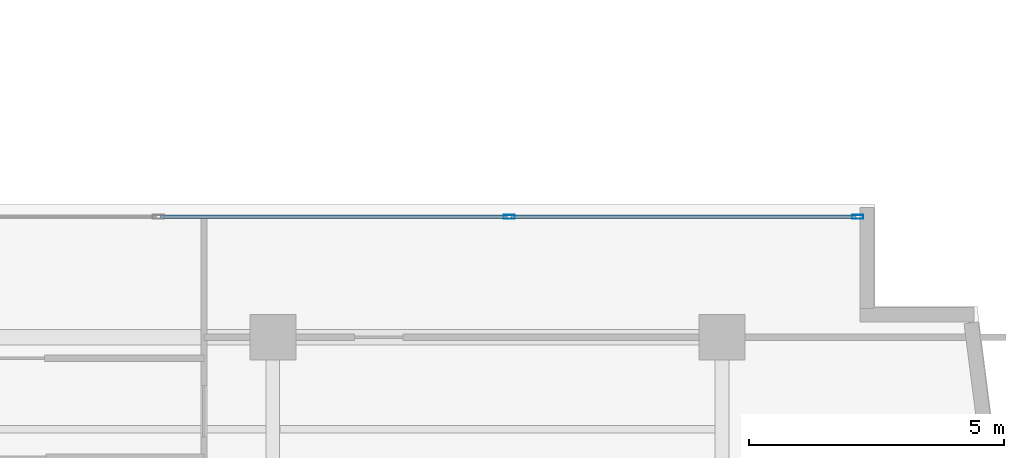
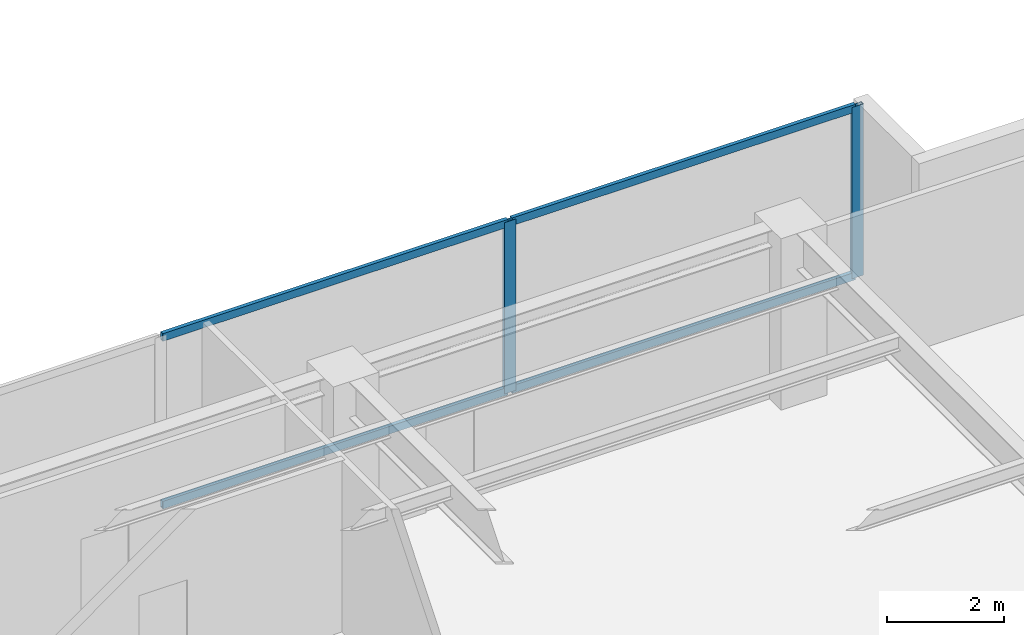
# One storey, part 12 of 22: 6 members, 1 element without a shape of its own.
"""IFC4 building model written with IfcOpenShell, lengths in metres."""

from ifc_helpers import new_model, si_unit, direction, frame, origin, origin_with_axes, origin_2d, place, context, subcontext, project, spatial, hollow_rectangle, extrude, source, transform, mapped, material, layer, layer_set, material_profile, profile_set, type_object, element, aggregate, save


model = new_model("IFC4")

# Units and contexts
model_context = context("Model", 3, precision=1e-05, world=origin(), true_north=direction((0.0, 1.0)))
body_context = subcontext(model_context, "Body", "Model", "MODEL_VIEW")
ifc_project = project(units=[si_unit("LENGTHUNIT", "METRE"), si_unit("AREAUNIT", "SQUARE_METRE"), si_unit("VOLUMEUNIT", "CUBIC_METRE"), si_unit("PLANEANGLEUNIT", "RADIAN"), si_unit("MASSUNIT", "GRAM", prefix="KILO")], contexts=[model_context])

# Site, building, storey
site_placement = place(None, origin())
site = spatial("IfcSite", under=ifc_project, at=site_placement, CompositionType="ELEMENT")
building_placement = place(site_placement, origin())
building = spatial("IfcBuilding", under=site, at=building_placement, Name="Kolvaren Waterfront Exchange", CompositionType="ELEMENT")
storey_placement = place(building_placement, frame((0.0, 0.0, 262.800048828125)))
storey = spatial("IfcBuildingStorey", under=building, at=storey_placement, Name="L67", CompositionType="ELEMENT", Elevation=262.800048828125)

# Curtain wall, members
ifc_material_1 = material(Name="Anodised bronze aluminium 6063-T6", Category="aluminium")
ifc_layer = layer(ifc_material_1, 0.219970703125, Name="Anodised bronze aluminium 6063-T6")
ifc_layer_set = layer_set([ifc_layer], Name="Anodised bronze aluminium 6063-T6")
curtain_wall_type = type_object("IfcCurtainWallType", Name="ARC-CW-SYS1", PredefinedType="USERDEFINED", material=ifc_layer_set)
curtain_wall_placement = place(storey_placement, origin())
curtain_wall = element("IfcCurtainWall", 1, at=curtain_wall_placement, inside=storey, type_object=curtain_wall_type, Name="L67 stick curtain wall CW1 (CW-L67-EN)", ObjectType="STICK CURTAIN WALL", PredefinedType="USERDEFINED")
ifc_material_2 = material(Name="Anodised aluminium 6063-T6", Category="aluminium")
ifc_material_profile_1 = material_profile(ifc_material_2, hollow_rectangle(XDim=0.080078125, YDim=0.219970703125, WallThickness=0.0048828125, at=origin_2d()), Name="ALU-MUL-220x80x5")
ifc_profile_set_1 = profile_set([ifc_material_profile_1], Name="Anodised aluminium 6063-T6")
member_type_1 = type_object("IfcMemberType", Name="ARC-CWM-220", PredefinedType="MULLION", material=ifc_profile_set_1)
shared_shape_1 = source(origin_with_axes(), body_context, "Body", "SweptSolid", [
    extrude(hollow_rectangle(XDim=0.080078125, YDim=0.219970703125, WallThickness=0.0048828125, at=origin_2d()), origin(), (0.0, 0.0, 1.0), 3.56005859375),
])
member_1_placement = place(storey_placement, frame((41.429931640625, 19.760009765625, 0.0), z_axis=(0.0, 0.0, 1.0), x_axis=(0.0, 1.0, 0.0)))
member_1 = element("IfcMember", 2, at=member_1_placement, type_object=member_type_1, Name="CW1 mullion 3", PredefinedType="MULLION", context=body_context, shape_type="MappedRepresentation", body=[
    mapped(shared_shape_1, transform((0.0, 0.0, 0.0), x_axis=(1.0, 0.0, 0.0), y_axis=(0.0, 1.0, 0.0), z_axis=(0.0, 0.0, 1.0), scale=1.0)),
])
member_2_placement = place(storey_placement, frame((48.260009765625, 19.760009765625, 0.0), z_axis=(0.0, 0.0, 1.0), x_axis=(0.0, 1.0, 0.0)))
member_2 = element("IfcMember", 3, at=member_2_placement, type_object=member_type_1, Name="CW1 mullion 4", PredefinedType="MULLION", context=body_context, shape_type="MappedRepresentation", body=[
    mapped(shared_shape_1, transform((0.0, 0.0, 0.0), x_axis=(1.0, 0.0, 0.0), y_axis=(0.0, 1.0, 0.0), z_axis=(0.0, 0.0, 1.0), scale=1.0)),
])
ifc_material_profile_2 = material_profile(ifc_material_2, hollow_rectangle(XDim=0.074951171875, YDim=0.159912109375, WallThickness=0.00439453125, at=origin_2d()), Name="ALU-TRN-160x75x4.5")
ifc_profile_set_2 = profile_set([ifc_material_profile_2], Name="Anodised aluminium 6063-T6")
member_type_2 = type_object("IfcMemberType", Name="ARC-CWT-160", PredefinedType="USERDEFINED", material=ifc_profile_set_2)
shared_shape_2 = source(origin_with_axes(), body_context, "Body", "SweptSolid", [
    extrude(hollow_rectangle(XDim=0.074951171875, YDim=0.159912109375, WallThickness=0.00439453125, at=origin_2d()), origin(), (0.0, 0.0, 1.0), 6.75),
])
member_3_placement = place(storey_placement, frame((41.469970703125, 19.760009765625, 0.037353515625), z_axis=(1.0, 0.0, 0.0), x_axis=(0.0, 1.0, 0.0)))
member_3 = element("IfcMember", 4, at=member_3_placement, type_object=member_type_2, Name="CW1 transom 3.1", ObjectType="TRANSOM", PredefinedType="USERDEFINED", context=body_context, shape_type="MappedRepresentation", body=[
    mapped(shared_shape_2, transform((0.0, 0.0, 0.0), x_axis=(1.0, 0.0, 0.0), y_axis=(0.0, 1.0, 0.0), z_axis=(0.0, 0.0, 1.0), scale=1.0)),
])
member_4_placement = place(storey_placement, frame((41.469970703125, 19.760009765625, 3.5224609375), z_axis=(1.0, 0.0, 0.0), x_axis=(0.0, 1.0, 0.0)))
member_4 = element("IfcMember", 5, at=member_4_placement, type_object=member_type_2, Name="CW1 transom 3.2", ObjectType="TRANSOM", PredefinedType="USERDEFINED", context=body_context, shape_type="MappedRepresentation", body=[
    mapped(shared_shape_2, transform((0.0, 0.0, 0.0), x_axis=(1.0, 0.0, 0.0), y_axis=(0.0, 1.0, 0.0), z_axis=(0.0, 0.0, 1.0), scale=1.0)),
])
shared_shape_3 = source(origin_with_axes(), body_context, "Body", "SweptSolid", [
    extrude(hollow_rectangle(XDim=0.074951171875, YDim=0.159912109375, WallThickness=0.00439453125, at=origin_2d()), origin(), (0.0, 0.0, 1.0), 6.789794921875),
])
member_5_placement = place(storey_placement, frame((34.60009765625, 19.760009765625, 0.037353515625), z_axis=(1.0, 0.0, 0.0), x_axis=(0.0, 1.0, 0.0)))
member_5 = element("IfcMember", 6, at=member_5_placement, type_object=member_type_2, Name="CW1 transom 2.1", ObjectType="TRANSOM", PredefinedType="USERDEFINED", context=body_context, shape_type="MappedRepresentation", body=[
    mapped(shared_shape_3, transform((0.0, 0.0, 0.0), x_axis=(1.0, 0.0, 0.0), y_axis=(0.0, 1.0, 0.0), z_axis=(0.0, 0.0, 1.0), scale=1.0)),
])
member_6_placement = place(storey_placement, frame((34.60009765625, 19.760009765625, 3.5224609375), z_axis=(1.0, 0.0, 0.0), x_axis=(0.0, 1.0, 0.0)))
member_6 = element("IfcMember", 7, at=member_6_placement, type_object=member_type_2, Name="CW1 transom 2.2", ObjectType="TRANSOM", PredefinedType="USERDEFINED", context=body_context, shape_type="MappedRepresentation", body=[
    mapped(shared_shape_3, transform((0.0, 0.0, 0.0), x_axis=(1.0, 0.0, 0.0), y_axis=(0.0, 1.0, 0.0), z_axis=(0.0, 0.0, 1.0), scale=1.0)),
])
aggregate(curtain_wall, [member_1, member_2, member_5, member_6, member_3, member_4])

save(model, "model.ifc")
